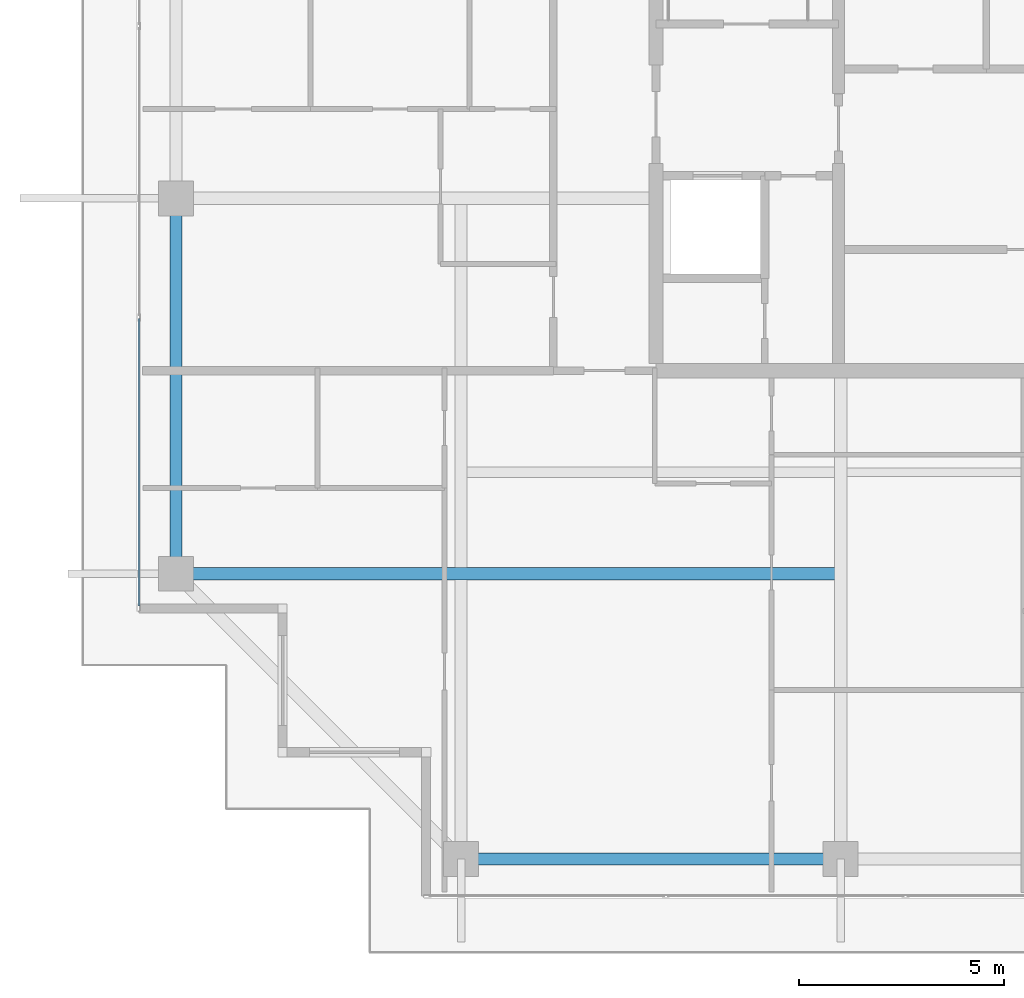
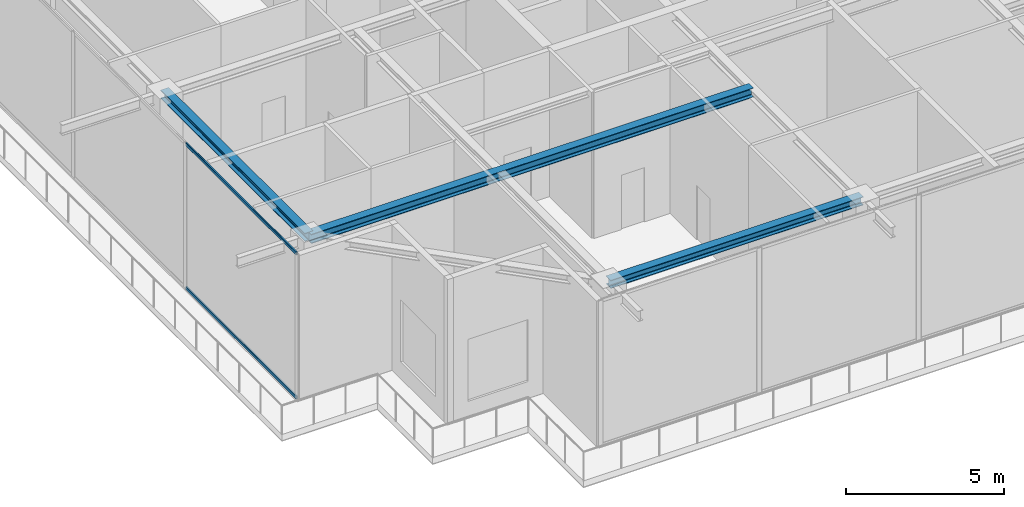
# One storey, part 3 of 40: 3 beams, 2 members, 1 element without a shape of its own.
"""IFC4 building model written with IfcOpenShell, lengths in metres."""

from ifc_helpers import new_model, si_unit, direction, frame, origin, origin_2d, place, context, subcontext, project, spatial, hollow_rectangle, i_section, extrude, source, transform, mapped, material, layer, layer_set, material_profile, profile_set, type_object, element, aggregate, save


model = new_model("IFC4")

# Units and contexts
model_context = context("Model", 3, precision=1e-05, world=origin(), true_north=direction((0.0, 1.0)))
body_context = subcontext(model_context, "Body", "Model", "MODEL_VIEW")
ifc_project = project(units=[si_unit("LENGTHUNIT", "METRE"), si_unit("AREAUNIT", "SQUARE_METRE"), si_unit("VOLUMEUNIT", "CUBIC_METRE"), si_unit("PLANEANGLEUNIT", "RADIAN"), si_unit("MASSUNIT", "GRAM", prefix="KILO")], contexts=[model_context])

# Site, building, storey
site_placement = place(None, origin())
site = spatial("IfcSite", under=ifc_project, at=site_placement, CompositionType="ELEMENT")
building_placement = place(site_placement, origin())
building = spatial("IfcBuilding", under=site, at=building_placement, Name="Serunith Strait Residences", CompositionType="ELEMENT")
storey_placement = place(building_placement, frame((0.0, 0.0, 347.949951171875)))
storey = spatial("IfcBuildingStorey", under=building, at=storey_placement, Name="L86", CompositionType="ELEMENT", Elevation=347.949951171875)

# Beams
ifc_material_1 = material(Name="Steel S355J2", Category="steel")
ifc_material_profile_1 = material_profile(ifc_material_1, i_section(OverallWidth=0.300048828125, OverallDepth=0.360107421875, WebThickness=0.012451171875, FlangeThickness=0.0224609375, FilletRadius=0.027099609375, at=origin_2d()), Name="HEB 360")
ifc_profile_set_1 = profile_set([ifc_material_profile_1], Name="Steel S355J2")
beam_type_1 = type_object("IfcBeamType", Name="BM-HEB360", PredefinedType="BEAM", material=ifc_profile_set_1)
shared_shape_1 = source(origin(), body_context, "Body", "SweptSolid", [
    extrude(i_section(OverallWidth=0.300048828125, OverallDepth=0.360107421875, WebThickness=0.012451171875, FlangeThickness=0.0224609375, FilletRadius=0.027099609375, at=origin_2d()), origin(), (0.0, 0.0, 1.0), 16.199951171875),
])
beam_1_placement = place(storey_placement, frame((27.89990234375, 11.85009765625, 5.45703125), z_axis=(-1.0, 0.0, 0.0), x_axis=(0.0, -1.0, 0.0)))
element("IfcBeam", 1, at=beam_1_placement, inside=storey, type_object=beam_type_1, Name="L86 Orthogonal Corner Girder TC-W1", PredefinedType="BEAM", context=body_context, shape_type="MappedRepresentation", body=[
    mapped(shared_shape_1, transform((0.0, 0.0, 0.0), scale=1.0)),
])
ifc_material_profile_2 = material_profile(ifc_material_1, i_section(OverallWidth=0.300048828125, OverallDepth=0.320068359375, WebThickness=0.011474609375, FlangeThickness=0.0205078125, FilletRadius=0.027099609375, at=origin_2d()), Name="HEB 320")
ifc_profile_set_2 = profile_set([ifc_material_profile_2], Name="Steel S355J2")
beam_type_2 = type_object("IfcBeamType", Name="BM-HEB320", PredefinedType="BEAM", material=ifc_profile_set_2)
shared_shape_2 = source(origin(), body_context, "Body", "SweptSolid", [
    extrude(i_section(OverallWidth=0.300048828125, OverallDepth=0.320068359375, WebThickness=0.011474609375, FlangeThickness=0.0205078125, FilletRadius=0.027099609375, at=origin_2d()), origin(), (0.0, 0.0, 1.0), 9.25),
])
beam_2_placement = place(storey_placement, frame((18.64990234375, 4.89990234375, 5.47705078125), z_axis=(1.0, 0.0, 0.0), x_axis=(0.0, 1.0, 0.0)))
element("IfcBeam", 2, at=beam_2_placement, inside=storey, type_object=beam_type_2, Name="L86 Perimeter Ring Beam 01", PredefinedType="BEAM", context=body_context, shape_type="MappedRepresentation", body=[
    mapped(shared_shape_2, transform((0.0, 0.0, 0.0), scale=1.0)),
])
shared_shape_3 = source(origin(), body_context, "Body", "SweptSolid", [
    extrude(i_section(OverallWidth=0.300048828125, OverallDepth=0.320068359375, WebThickness=0.011474609375, FlangeThickness=0.0205078125, FilletRadius=0.027099609375, at=origin_2d()), origin(), (0.0, 0.0, 1.0), 9.14990234375),
])
beam_3_placement = place(storey_placement, frame((11.699951171875, 21.0, 5.47705078125), z_axis=(0.0, -1.0, 0.0), x_axis=(1.0, 0.0, 0.0)))
element("IfcBeam", 3, at=beam_3_placement, inside=storey, type_object=beam_type_2, Name="L86 Perimeter Ring Beam 15", PredefinedType="BEAM", context=body_context, shape_type="MappedRepresentation", body=[
    mapped(shared_shape_3, transform((0.0, 0.0, 0.0), scale=1.0)),
])

# Curtain wall, members
ifc_material_2 = material(Name="Brushed Stainless-Silver Aluminium", Category="aluminium")
ifc_layer = layer(ifc_material_2, 0.199951171875, Name="Brushed Stainless-Silver Aluminium")
ifc_layer_set = layer_set([ifc_layer], Name="Brushed Stainless-Silver Aluminium")
curtain_wall_type = type_object("IfcCurtainWallType", Name="CW-SYS5", PredefinedType="NOTDEFINED", material=ifc_layer_set)
curtain_wall_placement = place(storey_placement, origin())
curtain_wall = element("IfcCurtainWall", 4, at=curtain_wall_placement, inside=storey, type_object=curtain_wall_type, Name="L86 W Unitised Fritted Curtain Wall", PredefinedType="NOTDEFINED")
ifc_material_profile_3 = material_profile(ifc_material_2, hollow_rectangle(XDim=0.06005859375, YDim=0.1201171875, WallThickness=0.00341796875, InnerFilletRadius=0.00537109375, OuterFilletRadius=0.0087890625, at=origin_2d()), Name="ALU 120x60x3.5")
ifc_profile_set_3 = profile_set([ifc_material_profile_3], Name="Brushed Stainless-Silver Aluminium")
member_type = type_object("IfcMemberType", Name="CW-SYS5-TRAN", PredefinedType="USERDEFINED", material=ifc_profile_set_3)
shared_shape_4 = source(origin(), body_context, "Body", "SweptSolid", [
    extrude(hollow_rectangle(XDim=0.06005859375, YDim=0.1201171875, WallThickness=0.00341796875, InnerFilletRadius=0.00537109375, OuterFilletRadius=0.0087890625, at=origin_2d()), origin(), (0.0, 0.0, 1.0), 7.00244140625),
])
member_1_placement = place(storey_placement, frame((10.800048828125, 18.0673828125, 0.030029296875), z_axis=(0.0, -1.0, 0.0), x_axis=(1.0, 0.0, 0.0)))
member_1 = element("IfcMember", 5, at=member_1_placement, type_object=member_type, Name="CW-5 transom 4.1", ObjectType="TRANSOM", PredefinedType="USERDEFINED", context=body_context, shape_type="MappedRepresentation", body=[
    mapped(shared_shape_4, transform((0.0, 0.0, 0.0), scale=1.0)),
])
member_2_placement = place(storey_placement, frame((10.800048828125, 18.0673828125, 5.594970703125), z_axis=(0.0, -1.0, 0.0), x_axis=(1.0, 0.0, 0.0)))
member_2 = element("IfcMember", 6, at=member_2_placement, type_object=member_type, Name="CW-5 transom 4.2", ObjectType="TRANSOM", PredefinedType="USERDEFINED", context=body_context, shape_type="MappedRepresentation", body=[
    mapped(shared_shape_4, transform((0.0, 0.0, 0.0), scale=1.0)),
])
aggregate(curtain_wall, [member_1, member_2])

save(model, "model.ifc")
